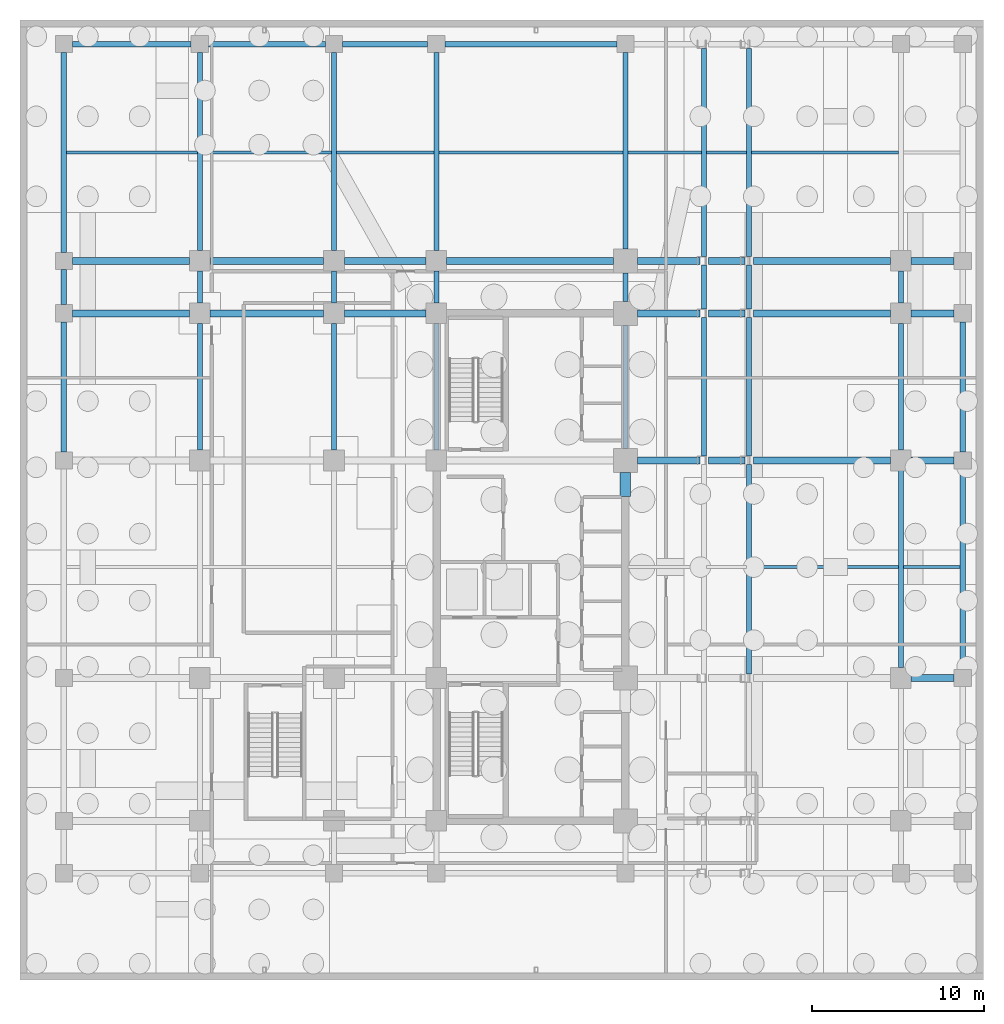
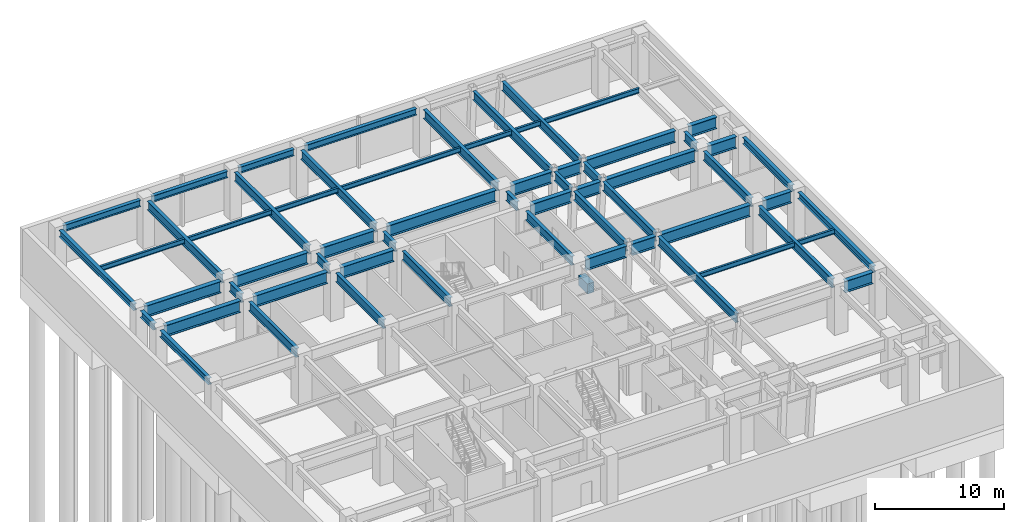
# One storey, part 8 of 13: 61 beams.
"""IFC4 building model written with IfcOpenShell, lengths in metres."""

from ifc_helpers import new_model, si_unit, direction, frame, origin, origin_2d, place, context, subcontext, project, spatial, rectangle, i_section, extrude, material, material_profile, profile_set, type_object, element, save


model = new_model("IFC4")

# Units and contexts
model_context = context("Model", 3, precision=1e-05, world=origin(), true_north=direction((0.0, 1.0)))
body_context = subcontext(model_context, "Body", "Model", "MODEL_VIEW")
ifc_project = project(units=[si_unit("LENGTHUNIT", "METRE"), si_unit("AREAUNIT", "SQUARE_METRE"), si_unit("VOLUMEUNIT", "CUBIC_METRE"), si_unit("PLANEANGLEUNIT", "RADIAN"), si_unit("MASSUNIT", "GRAM", prefix="KILO")], contexts=[model_context])

# Site, building, storey
site_placement = place(None, origin())
site = spatial("IfcSite", under=ifc_project, at=site_placement, CompositionType="ELEMENT")
building_placement = place(site_placement, origin())
building = spatial("IfcBuilding", under=site, at=building_placement, Name="Ochreholt Gables", CompositionType="ELEMENT")
storey_placement = place(building_placement, frame((0.0, 0.0, -9.60009765625)))
storey = spatial("IfcBuildingStorey", under=building, at=storey_placement, Name="B2", CompositionType="ELEMENT", Elevation=-9.60009765625)

# Beams
ifc_material_1 = material(Name="Concrete 60 MPa", Category="concrete")
ifc_material_profile_1 = material_profile(ifc_material_1, rectangle(XDim=0.60009765625, YDim=0.949951171875, at=origin_2d()), Name="RCB600X950")
ifc_profile_set_1 = profile_set([ifc_material_profile_1], Name="Concrete 60 MPa")
beam_type_1 = type_object("IfcBeamType", Name="BM-CPL-RC600", PredefinedType="LINTEL", material=ifc_profile_set_1)
beam_1_placement = place(storey_placement, frame((35.175048828125, 28.10009765625, 3.154052734375), z_axis=(0.0, 1.0, 0.0), x_axis=(-1.0, 0.0, 0.0)))
element("IfcBeam", 1, at=beam_1_placement, inside=storey, type_object=beam_type_1, Name="B2 Core Coupling Lintel CPN", PredefinedType="LINTEL", context=body_context, shape_type="SweptSolid", body=[
    extrude(rectangle(XDim=0.60009765625, YDim=0.949951171875, at=origin_2d()), origin(), (0.0, 0.0, 1.0), 1.39990234375),
])
ifc_material_2 = material(Name="Steel CSA G40.21 350W", Category="steel")
ifc_material_profile_2 = material_profile(ifc_material_2, i_section(OverallWidth=0.39990234375, OverallDepth=1.10009765625, WebThickness=0.02001953125, FlangeThickness=0.035888671875, at=origin_2d()), Name="W1100X390")
ifc_profile_set_2 = profile_set([ifc_material_profile_2], Name="Steel CSA G40.21 350W")
beam_type_2 = type_object("IfcBeamType", Name="BM-G-W1100", PredefinedType="BEAM", material=ifc_profile_set_2)
beam_2_placement = place(storey_placement, frame((51.799560546875, 17.550048828125, 3.93017578125), z_axis=(1.0, 0.0, 0.0), x_axis=(0.0, 1.0, 0.0)))
element("IfcBeam", 2, at=beam_2_placement, inside=storey, type_object=beam_type_2, Name="B2 Beam BG-B2-E3E4-Y3", PredefinedType="BEAM", context=body_context, shape_type="SweptSolid", body=[
    extrude(i_section(OverallWidth=0.39990234375, OverallDepth=1.10009765625, WebThickness=0.02001953125, FlangeThickness=0.035888671875, at=origin_2d()), origin(), (0.0, 0.0, 1.0), 2.500732421875),
])
beam_3_placement = place(storey_placement, frame((35.899658203125, 30.199951171875, 3.93017578125), z_axis=(1.0, 0.0, 0.0), x_axis=(0.0, 1.0, 0.0)))
element("IfcBeam", 3, at=beam_3_placement, inside=storey, type_object=beam_type_2, Name="B2 Beam BG-B2-C2EM-Y4", PredefinedType="BEAM", context=body_context, shape_type="SweptSolid", body=[
    extrude(i_section(OverallWidth=0.39990234375, OverallDepth=1.10009765625, WebThickness=0.02001953125, FlangeThickness=0.035888671875, at=origin_2d()), origin(), (0.0, 0.0, 1.0), 3.61865234375),
])
beam_4_placement = place(storey_placement, frame((40.017578125, 30.199951171875, 3.93017578125), z_axis=(1.0, 0.0, 0.0), x_axis=(0.0, 1.0, 0.0)))
element("IfcBeam", 4, at=beam_4_placement, inside=storey, type_object=beam_type_2, Name="B2 Beam BG-B2-EMEE-Y4", PredefinedType="BEAM", context=body_context, shape_type="SweptSolid", body=[
    extrude(i_section(OverallWidth=0.39990234375, OverallDepth=1.10009765625, WebThickness=0.02001953125, FlangeThickness=0.035888671875, at=origin_2d()), origin(), (0.0, 0.0, 1.0), 2.111328125),
])
beam_5_placement = place(storey_placement, frame((42.6279296875, 30.199951171875, 3.93017578125), z_axis=(1.0, 0.0, 0.0), x_axis=(0.0, 1.0, 0.0)))
element("IfcBeam", 5, at=beam_5_placement, inside=storey, type_object=beam_type_2, Name="B2 Beam BG-B2-EEE3-Y4", PredefinedType="BEAM", context=body_context, shape_type="SweptSolid", body=[
    extrude(i_section(OverallWidth=0.39990234375, OverallDepth=1.10009765625, WebThickness=0.02001953125, FlangeThickness=0.035888671875, at=origin_2d()), origin(), (0.0, 0.0, 1.0), 7.972412109375),
])
beam_6_placement = place(storey_placement, frame((51.799560546875, 30.199951171875, 3.93017578125), z_axis=(1.0, 0.0, 0.0), x_axis=(0.0, 1.0, 0.0)))
element("IfcBeam", 6, at=beam_6_placement, inside=storey, type_object=beam_type_2, Name="B2 Beam BG-B2-E3E4-Y4", PredefinedType="BEAM", context=body_context, shape_type="SweptSolid", body=[
    extrude(i_section(OverallWidth=0.39990234375, OverallDepth=1.10009765625, WebThickness=0.02001953125, FlangeThickness=0.035888671875, at=origin_2d()), origin(), (0.0, 0.0, 1.0), 2.500732421875),
])
beam_7_placement = place(storey_placement, frame((3.049560546875, 38.75, 3.93017578125), z_axis=(1.0, 0.0, 0.0), x_axis=(0.0, 1.0, 0.0)))
element("IfcBeam", 7, at=beam_7_placement, inside=storey, type_object=beam_type_2, Name="B2 Beam BG-B2-W1W2-Y5", PredefinedType="BEAM", context=body_context, shape_type="SweptSolid", body=[
    extrude(i_section(OverallWidth=0.39990234375, OverallDepth=1.10009765625, WebThickness=0.02001953125, FlangeThickness=0.035888671875, at=origin_2d()), origin(), (0.0, 0.0, 1.0), 6.80078125),
])
beam_8_placement = place(storey_placement, frame((11.049560546875, 38.75, 3.93017578125), z_axis=(1.0, 0.0, 0.0), x_axis=(0.0, 1.0, 0.0)))
element("IfcBeam", 8, at=beam_8_placement, inside=storey, type_object=beam_type_2, Name="B2 Beam BG-B2-W2W3-Y5", PredefinedType="BEAM", context=body_context, shape_type="SweptSolid", body=[
    extrude(i_section(OverallWidth=0.39990234375, OverallDepth=1.10009765625, WebThickness=0.02001953125, FlangeThickness=0.035888671875, at=origin_2d()), origin(), (0.0, 0.0, 1.0), 6.600830078125),
])
beam_9_placement = place(storey_placement, frame((18.849609375, 38.75, 3.93017578125), z_axis=(1.0, 0.0, 0.0), x_axis=(0.0, 1.0, 0.0)))
element("IfcBeam", 9, at=beam_9_placement, inside=storey, type_object=beam_type_2, Name="B2 Beam BG-B2-W3C1-Y5", PredefinedType="BEAM", context=body_context, shape_type="SweptSolid", body=[
    extrude(i_section(OverallWidth=0.39990234375, OverallDepth=1.10009765625, WebThickness=0.02001953125, FlangeThickness=0.035888671875, at=origin_2d()), origin(), (0.0, 0.0, 1.0), 4.750732421875),
])
beam_10_placement = place(storey_placement, frame((35.899658203125, 38.75, 3.93017578125), z_axis=(1.0, 0.0, 0.0), x_axis=(0.0, 1.0, 0.0)))
element("IfcBeam", 10, at=beam_10_placement, inside=storey, type_object=beam_type_2, Name="B2 Beam BG-B2-C2EM-Y5", PredefinedType="BEAM", context=body_context, shape_type="SweptSolid", body=[
    extrude(i_section(OverallWidth=0.39990234375, OverallDepth=1.10009765625, WebThickness=0.02001953125, FlangeThickness=0.035888671875, at=origin_2d()), origin(), (0.0, 0.0, 1.0), 3.61865234375),
])
beam_11_placement = place(storey_placement, frame((40.017578125, 38.75, 3.93017578125), z_axis=(1.0, 0.0, 0.0), x_axis=(0.0, 1.0, 0.0)))
element("IfcBeam", 11, at=beam_11_placement, inside=storey, type_object=beam_type_2, Name="B2 Beam BG-B2-EMEE-Y5", PredefinedType="BEAM", context=body_context, shape_type="SweptSolid", body=[
    extrude(i_section(OverallWidth=0.39990234375, OverallDepth=1.10009765625, WebThickness=0.02001953125, FlangeThickness=0.035888671875, at=origin_2d()), origin(), (0.0, 0.0, 1.0), 2.111328125),
])
beam_12_placement = place(storey_placement, frame((42.6279296875, 38.75, 3.93017578125), z_axis=(1.0, 0.0, 0.0), x_axis=(0.0, 1.0, 0.0)))
element("IfcBeam", 12, at=beam_12_placement, inside=storey, type_object=beam_type_2, Name="B2 Beam BG-B2-EEE3-Y5", PredefinedType="BEAM", context=body_context, shape_type="SweptSolid", body=[
    extrude(i_section(OverallWidth=0.39990234375, OverallDepth=1.10009765625, WebThickness=0.02001953125, FlangeThickness=0.035888671875, at=origin_2d()), origin(), (0.0, 0.0, 1.0), 7.972412109375),
])
beam_13_placement = place(storey_placement, frame((51.799560546875, 38.75, 3.93017578125), z_axis=(1.0, 0.0, 0.0), x_axis=(0.0, 1.0, 0.0)))
element("IfcBeam", 13, at=beam_13_placement, inside=storey, type_object=beam_type_2, Name="B2 Beam BG-B2-E3E4-Y5", PredefinedType="BEAM", context=body_context, shape_type="SweptSolid", body=[
    extrude(i_section(OverallWidth=0.39990234375, OverallDepth=1.10009765625, WebThickness=0.02001953125, FlangeThickness=0.035888671875, at=origin_2d()), origin(), (0.0, 0.0, 1.0), 2.500732421875),
])
beam_14_placement = place(storey_placement, frame((3.049560546875, 41.800048828125, 3.93017578125), z_axis=(1.0, 0.0, 0.0), x_axis=(0.0, 1.0, 0.0)))
element("IfcBeam", 14, at=beam_14_placement, inside=storey, type_object=beam_type_2, Name="B2 Beam BG-B2-W1W2-Y6", PredefinedType="BEAM", context=body_context, shape_type="SweptSolid", body=[
    extrude(i_section(OverallWidth=0.39990234375, OverallDepth=1.10009765625, WebThickness=0.02001953125, FlangeThickness=0.035888671875, at=origin_2d()), origin(), (0.0, 0.0, 1.0), 6.80078125),
])
beam_15_placement = place(storey_placement, frame((11.049560546875, 41.800048828125, 3.93017578125), z_axis=(1.0, 0.0, 0.0), x_axis=(0.0, 1.0, 0.0)))
element("IfcBeam", 15, at=beam_15_placement, inside=storey, type_object=beam_type_2, Name="B2 Beam BG-B2-W2W3-Y6", PredefinedType="BEAM", context=body_context, shape_type="SweptSolid", body=[
    extrude(i_section(OverallWidth=0.39990234375, OverallDepth=1.10009765625, WebThickness=0.02001953125, FlangeThickness=0.035888671875, at=origin_2d()), origin(), (0.0, 0.0, 1.0), 6.600830078125),
])
beam_16_placement = place(storey_placement, frame((18.849609375, 41.800048828125, 3.93017578125), z_axis=(1.0, 0.0, 0.0), x_axis=(0.0, 1.0, 0.0)))
element("IfcBeam", 16, at=beam_16_placement, inside=storey, type_object=beam_type_2, Name="B2 Beam BG-B2-W3C1-Y6", PredefinedType="BEAM", context=body_context, shape_type="SweptSolid", body=[
    extrude(i_section(OverallWidth=0.39990234375, OverallDepth=1.10009765625, WebThickness=0.02001953125, FlangeThickness=0.035888671875, at=origin_2d()), origin(), (0.0, 0.0, 1.0), 4.750732421875),
])
beam_17_placement = place(storey_placement, frame((24.799560546875, 41.800048828125, 3.93017578125), z_axis=(1.0, 0.0, 0.0), x_axis=(0.0, 1.0, 0.0)))
element("IfcBeam", 17, at=beam_17_placement, inside=storey, type_object=beam_type_2, Name="B2 Beam BG-B2-C1C2-Y6", PredefinedType="BEAM", context=body_context, shape_type="SweptSolid", body=[
    extrude(i_section(OverallWidth=0.39990234375, OverallDepth=1.10009765625, WebThickness=0.02001953125, FlangeThickness=0.035888671875, at=origin_2d()), origin(), (0.0, 0.0, 1.0), 9.700927734375),
])
beam_18_placement = place(storey_placement, frame((35.899658203125, 41.800048828125, 3.93017578125), z_axis=(1.0, 0.0, 0.0), x_axis=(0.0, 1.0, 0.0)))
element("IfcBeam", 18, at=beam_18_placement, inside=storey, type_object=beam_type_2, Name="B2 Beam BG-B2-C2EM-Y6", PredefinedType="BEAM", context=body_context, shape_type="SweptSolid", body=[
    extrude(i_section(OverallWidth=0.39990234375, OverallDepth=1.10009765625, WebThickness=0.02001953125, FlangeThickness=0.035888671875, at=origin_2d()), origin(), (0.0, 0.0, 1.0), 3.61865234375),
])
beam_19_placement = place(storey_placement, frame((40.017578125, 41.800048828125, 3.93017578125), z_axis=(1.0, 0.0, 0.0), x_axis=(0.0, 1.0, 0.0)))
element("IfcBeam", 19, at=beam_19_placement, inside=storey, type_object=beam_type_2, Name="B2 Beam BG-B2-EMEE-Y6", PredefinedType="BEAM", context=body_context, shape_type="SweptSolid", body=[
    extrude(i_section(OverallWidth=0.39990234375, OverallDepth=1.10009765625, WebThickness=0.02001953125, FlangeThickness=0.035888671875, at=origin_2d()), origin(), (0.0, 0.0, 1.0), 2.111328125),
])
beam_20_placement = place(storey_placement, frame((42.6279296875, 41.800048828125, 3.93017578125), z_axis=(1.0, 0.0, 0.0), x_axis=(0.0, 1.0, 0.0)))
element("IfcBeam", 20, at=beam_20_placement, inside=storey, type_object=beam_type_2, Name="B2 Beam BG-B2-EEE3-Y6", PredefinedType="BEAM", context=body_context, shape_type="SweptSolid", body=[
    extrude(i_section(OverallWidth=0.39990234375, OverallDepth=1.10009765625, WebThickness=0.02001953125, FlangeThickness=0.035888671875, at=origin_2d()), origin(), (0.0, 0.0, 1.0), 7.972412109375),
])
beam_21_placement = place(storey_placement, frame((51.799560546875, 41.800048828125, 3.93017578125), z_axis=(1.0, 0.0, 0.0), x_axis=(0.0, 1.0, 0.0)))
element("IfcBeam", 21, at=beam_21_placement, inside=storey, type_object=beam_type_2, Name="B2 Beam BG-B2-E3E4-Y6", PredefinedType="BEAM", context=body_context, shape_type="SweptSolid", body=[
    extrude(i_section(OverallWidth=0.39990234375, OverallDepth=1.10009765625, WebThickness=0.02001953125, FlangeThickness=0.035888671875, at=origin_2d()), origin(), (0.0, 0.0, 1.0), 2.500732421875),
])
ifc_material_profile_3 = material_profile(ifc_material_2, i_section(OverallWidth=0.2939453125, OverallDepth=0.85107421875, WebThickness=0.01611328125, FlangeThickness=0.02685546875, at=origin_2d()), Name="W840X226")
ifc_profile_set_3 = profile_set([ifc_material_profile_3], Name="Steel CSA G40.21 350W")
beam_type_3 = type_object("IfcBeamType", Name="BM-G-W840", PredefinedType="BEAM", material=ifc_profile_set_3)
beam_22_placement = place(storey_placement, frame((10.449951171875, 30.799560546875, 4.0546875), z_axis=(0.0, 1.0, 0.0), x_axis=(-1.0, 0.0, 0.0)))
element("IfcBeam", 22, at=beam_22_placement, inside=storey, type_object=beam_type_3, Name="B2 Beam BG-B2-W2-Y4Y5", PredefinedType="BEAM", context=body_context, shape_type="SweptSolid", body=[
    extrude(i_section(OverallWidth=0.2939453125, OverallDepth=0.85107421875, WebThickness=0.01611328125, FlangeThickness=0.02685546875, at=origin_2d()), origin(), (0.0, 0.0, 1.0), 7.350830078125),
])
beam_23_placement = place(storey_placement, frame((10.449951171875, 39.349609375, 4.0546875), z_axis=(0.0, 1.0, 0.0), x_axis=(-1.0, 0.0, 0.0)))
element("IfcBeam", 23, at=beam_23_placement, inside=storey, type_object=beam_type_3, Name="B2 Beam BG-B2-W2-Y5Y6", PredefinedType="BEAM", context=body_context, shape_type="SweptSolid", body=[
    extrude(i_section(OverallWidth=0.2939453125, OverallDepth=0.85107421875, WebThickness=0.01611328125, FlangeThickness=0.02685546875, at=origin_2d()), origin(), (0.0, 0.0, 1.0), 1.850830078125),
])
beam_24_placement = place(storey_placement, frame((10.449951171875, 42.399658203125, 4.0546875), z_axis=(0.0, 1.0, 0.0), x_axis=(-1.0, 0.0, 0.0)))
element("IfcBeam", 24, at=beam_24_placement, inside=storey, type_object=beam_type_3, Name="B2 Beam BG-B2-W2-Y6Y7", PredefinedType="BEAM", context=body_context, shape_type="SweptSolid", body=[
    extrude(i_section(OverallWidth=0.2939453125, OverallDepth=0.85107421875, WebThickness=0.01611328125, FlangeThickness=0.02685546875, at=origin_2d()), origin(), (0.0, 0.0, 1.0), 11.500732421875),
])
beam_25_placement = place(storey_placement, frame((18.25, 30.799560546875, 4.0546875), z_axis=(0.0, 1.0, 0.0), x_axis=(-1.0, 0.0, 0.0)))
element("IfcBeam", 25, at=beam_25_placement, inside=storey, type_object=beam_type_3, Name="B2 Beam BG-B2-W3-Y4Y5", PredefinedType="BEAM", context=body_context, shape_type="SweptSolid", body=[
    extrude(i_section(OverallWidth=0.2939453125, OverallDepth=0.85107421875, WebThickness=0.01611328125, FlangeThickness=0.02685546875, at=origin_2d()), origin(), (0.0, 0.0, 1.0), 7.350830078125),
])
beam_26_placement = place(storey_placement, frame((18.25, 39.349609375, 4.0546875), z_axis=(0.0, 1.0, 0.0), x_axis=(-1.0, 0.0, 0.0)))
element("IfcBeam", 26, at=beam_26_placement, inside=storey, type_object=beam_type_3, Name="B2 Beam BG-B2-W3-Y5Y6", PredefinedType="BEAM", context=body_context, shape_type="SweptSolid", body=[
    extrude(i_section(OverallWidth=0.2939453125, OverallDepth=0.85107421875, WebThickness=0.01611328125, FlangeThickness=0.02685546875, at=origin_2d()), origin(), (0.0, 0.0, 1.0), 1.850830078125),
])
beam_27_placement = place(storey_placement, frame((18.25, 42.399658203125, 4.0546875), z_axis=(0.0, 1.0, 0.0), x_axis=(-1.0, 0.0, 0.0)))
element("IfcBeam", 27, at=beam_27_placement, inside=storey, type_object=beam_type_3, Name="B2 Beam BG-B2-W3-Y6Y7", PredefinedType="BEAM", context=body_context, shape_type="SweptSolid", body=[
    extrude(i_section(OverallWidth=0.2939453125, OverallDepth=0.85107421875, WebThickness=0.01611328125, FlangeThickness=0.02685546875, at=origin_2d()), origin(), (0.0, 0.0, 1.0), 11.500732421875),
])
beam_28_placement = place(storey_placement, frame((24.199951171875, 30.799560546875, 4.0546875), z_axis=(0.0, 1.0, 0.0), x_axis=(-1.0, 0.0, 0.0)))
element("IfcBeam", 28, at=beam_28_placement, inside=storey, type_object=beam_type_3, Name="B2 Beam BG-B2-C1-Y4Y5", PredefinedType="BEAM", context=body_context, shape_type="SweptSolid", body=[
    extrude(i_section(OverallWidth=0.2939453125, OverallDepth=0.85107421875, WebThickness=0.01611328125, FlangeThickness=0.02685546875, at=origin_2d()), origin(), (0.0, 0.0, 1.0), 7.350830078125),
])
beam_29_placement = place(storey_placement, frame((24.199951171875, 39.349609375, 4.0546875), z_axis=(0.0, 1.0, 0.0), x_axis=(-1.0, 0.0, 0.0)))
element("IfcBeam", 29, at=beam_29_placement, inside=storey, type_object=beam_type_3, Name="B2 Beam BG-B2-C1-Y5Y6", PredefinedType="BEAM", context=body_context, shape_type="SweptSolid", body=[
    extrude(i_section(OverallWidth=0.2939453125, OverallDepth=0.85107421875, WebThickness=0.01611328125, FlangeThickness=0.02685546875, at=origin_2d()), origin(), (0.0, 0.0, 1.0), 1.850830078125),
])
beam_30_placement = place(storey_placement, frame((24.199951171875, 42.399658203125, 4.0546875), z_axis=(0.0, 1.0, 0.0), x_axis=(-1.0, 0.0, 0.0)))
element("IfcBeam", 30, at=beam_30_placement, inside=storey, type_object=beam_type_3, Name="B2 Beam BG-B2-C1-Y6Y7", PredefinedType="BEAM", context=body_context, shape_type="SweptSolid", body=[
    extrude(i_section(OverallWidth=0.2939453125, OverallDepth=0.85107421875, WebThickness=0.01611328125, FlangeThickness=0.02685546875, at=origin_2d()), origin(), (0.0, 0.0, 1.0), 11.500732421875),
])
beam_31_placement = place(storey_placement, frame((35.199951171875, 30.899658203125, 4.0546875), z_axis=(0.0, 1.0, 0.0), x_axis=(-1.0, 0.0, 0.0)))
element("IfcBeam", 31, at=beam_31_placement, inside=storey, type_object=beam_type_3, Name="B2 Beam BG-B2-C2-Y4Y5", PredefinedType="BEAM", context=body_context, shape_type="SweptSolid", body=[
    extrude(i_section(OverallWidth=0.2939453125, OverallDepth=0.85107421875, WebThickness=0.01611328125, FlangeThickness=0.02685546875, at=origin_2d()), origin(), (0.0, 0.0, 1.0), 7.150634765625),
])
beam_32_placement = place(storey_placement, frame((35.199951171875, 39.44970703125, 4.0546875), z_axis=(0.0, 1.0, 0.0), x_axis=(-1.0, 0.0, 0.0)))
element("IfcBeam", 32, at=beam_32_placement, inside=storey, type_object=beam_type_3, Name="B2 Beam BG-B2-C2-Y5Y6", PredefinedType="BEAM", context=body_context, shape_type="SweptSolid", body=[
    extrude(i_section(OverallWidth=0.2939453125, OverallDepth=0.85107421875, WebThickness=0.01611328125, FlangeThickness=0.02685546875, at=origin_2d()), origin(), (0.0, 0.0, 1.0), 1.650634765625),
])
beam_33_placement = place(storey_placement, frame((35.199951171875, 42.49951171875, 4.0546875), z_axis=(0.0, 1.0, 0.0), x_axis=(-1.0, 0.0, 0.0)))
element("IfcBeam", 33, at=beam_33_placement, inside=storey, type_object=beam_type_3, Name="B2 Beam BG-B2-C2-Y6Y7", PredefinedType="BEAM", context=body_context, shape_type="SweptSolid", body=[
    extrude(i_section(OverallWidth=0.2939453125, OverallDepth=0.85107421875, WebThickness=0.01611328125, FlangeThickness=0.02685546875, at=origin_2d()), origin(), (0.0, 0.0, 1.0), 11.40087890625),
])
beam_34_placement = place(storey_placement, frame((39.76806640625, 30.44970703125, 4.0546875), z_axis=(0.0, 1.0, 0.0), x_axis=(-1.0, 0.0, 0.0)))
element("IfcBeam", 34, at=beam_34_placement, inside=storey, type_object=beam_type_3, Name="B2 Beam BG-B2-EM-Y4Y5", PredefinedType="BEAM", context=body_context, shape_type="SweptSolid", body=[
    extrude(i_section(OverallWidth=0.2939453125, OverallDepth=0.85107421875, WebThickness=0.01611328125, FlangeThickness=0.02685546875, at=origin_2d()), origin(), (0.0, 0.0, 1.0), 8.05078125),
])
beam_35_placement = place(storey_placement, frame((39.76806640625, 38.99951171875, 4.0546875), z_axis=(0.0, 1.0, 0.0), x_axis=(-1.0, 0.0, 0.0)))
element("IfcBeam", 35, at=beam_35_placement, inside=storey, type_object=beam_type_3, Name="B2 Beam BG-B2-EM-Y5Y6", PredefinedType="BEAM", context=body_context, shape_type="SweptSolid", body=[
    extrude(i_section(OverallWidth=0.2939453125, OverallDepth=0.85107421875, WebThickness=0.01611328125, FlangeThickness=0.02685546875, at=origin_2d()), origin(), (0.0, 0.0, 1.0), 2.55078125),
])
beam_36_placement = place(storey_placement, frame((39.76806640625, 42.049560546875, 4.0546875), z_axis=(0.0, 1.0, 0.0), x_axis=(-1.0, 0.0, 0.0)))
element("IfcBeam", 36, at=beam_36_placement, inside=storey, type_object=beam_type_3, Name="B2 Beam BG-B2-EM-Y6Y7", PredefinedType="BEAM", context=body_context, shape_type="SweptSolid", body=[
    extrude(i_section(OverallWidth=0.2939453125, OverallDepth=0.85107421875, WebThickness=0.01611328125, FlangeThickness=0.02685546875, at=origin_2d()), origin(), (0.0, 0.0, 1.0), 12.100830078125),
])
beam_37_placement = place(storey_placement, frame((42.37841796875, 17.799560546875, 4.0546875), z_axis=(0.0, 1.0, 0.0), x_axis=(-1.0, 0.0, 0.0)))
element("IfcBeam", 37, at=beam_37_placement, inside=storey, type_object=beam_type_3, Name="B2 Beam BG-B2-EE-Y3Y4", PredefinedType="BEAM", context=body_context, shape_type="SweptSolid", body=[
    extrude(i_section(OverallWidth=0.2939453125, OverallDepth=0.85107421875, WebThickness=0.01611328125, FlangeThickness=0.02685546875, at=origin_2d()), origin(), (0.0, 0.0, 1.0), 12.15087890625),
])
beam_38_placement = place(storey_placement, frame((42.37841796875, 30.44970703125, 4.0546875), z_axis=(0.0, 1.0, 0.0), x_axis=(-1.0, 0.0, 0.0)))
element("IfcBeam", 38, at=beam_38_placement, inside=storey, type_object=beam_type_3, Name="B2 Beam BG-B2-EE-Y4Y5", PredefinedType="BEAM", context=body_context, shape_type="SweptSolid", body=[
    extrude(i_section(OverallWidth=0.2939453125, OverallDepth=0.85107421875, WebThickness=0.01611328125, FlangeThickness=0.02685546875, at=origin_2d()), origin(), (0.0, 0.0, 1.0), 8.05078125),
])
beam_39_placement = place(storey_placement, frame((42.37841796875, 38.99951171875, 4.0546875), z_axis=(0.0, 1.0, 0.0), x_axis=(-1.0, 0.0, 0.0)))
element("IfcBeam", 39, at=beam_39_placement, inside=storey, type_object=beam_type_3, Name="B2 Beam BG-B2-EE-Y5Y6", PredefinedType="BEAM", context=body_context, shape_type="SweptSolid", body=[
    extrude(i_section(OverallWidth=0.2939453125, OverallDepth=0.85107421875, WebThickness=0.01611328125, FlangeThickness=0.02685546875, at=origin_2d()), origin(), (0.0, 0.0, 1.0), 2.55078125),
])
beam_40_placement = place(storey_placement, frame((42.37841796875, 42.049560546875, 4.0546875), z_axis=(0.0, 1.0, 0.0), x_axis=(-1.0, 0.0, 0.0)))
element("IfcBeam", 40, at=beam_40_placement, inside=storey, type_object=beam_type_3, Name="B2 Beam BG-B2-EE-Y6Y7", PredefinedType="BEAM", context=body_context, shape_type="SweptSolid", body=[
    extrude(i_section(OverallWidth=0.2939453125, OverallDepth=0.85107421875, WebThickness=0.01611328125, FlangeThickness=0.02685546875, at=origin_2d()), origin(), (0.0, 0.0, 1.0), 12.100830078125),
])
beam_41_placement = place(storey_placement, frame((51.199951171875, 18.149658203125, 4.0546875), z_axis=(0.0, 1.0, 0.0), x_axis=(-1.0, 0.0, 0.0)))
element("IfcBeam", 41, at=beam_41_placement, inside=storey, type_object=beam_type_3, Name="B2 Beam BG-B2-E3-Y3Y4", PredefinedType="BEAM", context=body_context, shape_type="SweptSolid", body=[
    extrude(i_section(OverallWidth=0.2939453125, OverallDepth=0.85107421875, WebThickness=0.01611328125, FlangeThickness=0.02685546875, at=origin_2d()), origin(), (0.0, 0.0, 1.0), 11.45068359375),
])
beam_42_placement = place(storey_placement, frame((51.199951171875, 30.799560546875, 4.0546875), z_axis=(0.0, 1.0, 0.0), x_axis=(-1.0, 0.0, 0.0)))
element("IfcBeam", 42, at=beam_42_placement, inside=storey, type_object=beam_type_3, Name="B2 Beam BG-B2-E3-Y4Y5", PredefinedType="BEAM", context=body_context, shape_type="SweptSolid", body=[
    extrude(i_section(OverallWidth=0.2939453125, OverallDepth=0.85107421875, WebThickness=0.01611328125, FlangeThickness=0.02685546875, at=origin_2d()), origin(), (0.0, 0.0, 1.0), 7.350830078125),
])
beam_43_placement = place(storey_placement, frame((51.199951171875, 39.349609375, 4.0546875), z_axis=(0.0, 1.0, 0.0), x_axis=(-1.0, 0.0, 0.0)))
element("IfcBeam", 43, at=beam_43_placement, inside=storey, type_object=beam_type_3, Name="B2 Beam BG-B2-E3-Y5Y6", PredefinedType="BEAM", context=body_context, shape_type="SweptSolid", body=[
    extrude(i_section(OverallWidth=0.2939453125, OverallDepth=0.85107421875, WebThickness=0.01611328125, FlangeThickness=0.02685546875, at=origin_2d()), origin(), (0.0, 0.0, 1.0), 1.850830078125),
])
ifc_material_profile_4 = material_profile(ifc_material_2, i_section(OverallWidth=0.18994140625, OverallDepth=0.45703125, WebThickness=0.009033203125, FlangeThickness=0.014404296875, at=origin_2d()), Name="W460X74")
ifc_profile_set_4 = profile_set([ifc_material_profile_4], Name="Steel CSA G40.21 350W")
beam_type_4 = type_object("IfcBeamType", Name="BM-J-W460B", PredefinedType="JOIST", material=ifc_profile_set_4)
beam_44_placement = place(storey_placement, frame((42.52490234375, 24.0, 4.251708984375), z_axis=(1.0, 0.0, 0.0), x_axis=(0.0, 1.0, 0.0)))
element("IfcBeam", 44, at=beam_44_placement, inside=storey, type_object=beam_type_4, Name="B2 Beam BJ-B2-J1-EEE3", PredefinedType="JOIST", context=body_context, shape_type="SweptSolid", body=[
    extrude(i_section(OverallWidth=0.18994140625, OverallDepth=0.45703125, WebThickness=0.009033203125, FlangeThickness=0.014404296875, at=origin_2d()), origin(), (0.0, 0.0, 1.0), 8.528564453125),
])
beam_45_placement = place(storey_placement, frame((51.3466796875, 24.0, 4.251708984375), z_axis=(1.0, 0.0, 0.0), x_axis=(0.0, 1.0, 0.0)))
element("IfcBeam", 45, at=beam_45_placement, inside=storey, type_object=beam_type_4, Name="B2 Beam BJ-B2-J1-E3E4", PredefinedType="JOIST", context=body_context, shape_type="SweptSolid", body=[
    extrude(i_section(OverallWidth=0.18994140625, OverallDepth=0.45703125, WebThickness=0.009033203125, FlangeThickness=0.014404296875, at=origin_2d()), origin(), (0.0, 0.0, 1.0), 3.291748046875),
])
beam_46_placement = place(storey_placement, frame((2.711669921875, 48.10009765625, 4.251708984375), z_axis=(1.0, 0.0, 0.0), x_axis=(0.0, 1.0, 0.0)))
element("IfcBeam", 46, at=beam_46_placement, inside=storey, type_object=beam_type_4, Name="B2 Beam BJ-B2-J2-W1W2", PredefinedType="JOIST", context=body_context, shape_type="SweptSolid", body=[
    extrude(i_section(OverallWidth=0.18994140625, OverallDepth=0.45703125, WebThickness=0.009033203125, FlangeThickness=0.014404296875, at=origin_2d()), origin(), (0.0, 0.0, 1.0), 7.591796875),
])
beam_47_placement = place(storey_placement, frame((10.5966796875, 48.10009765625, 4.251708984375), z_axis=(1.0, 0.0, 0.0), x_axis=(0.0, 1.0, 0.0)))
element("IfcBeam", 47, at=beam_47_placement, inside=storey, type_object=beam_type_4, Name="B2 Beam BJ-B2-J2-W2W3", PredefinedType="JOIST", context=body_context, shape_type="SweptSolid", body=[
    extrude(i_section(OverallWidth=0.18994140625, OverallDepth=0.45703125, WebThickness=0.009033203125, FlangeThickness=0.014404296875, at=origin_2d()), origin(), (0.0, 0.0, 1.0), 7.5068359375),
])
beam_48_placement = place(storey_placement, frame((18.396484375, 48.10009765625, 4.251708984375), z_axis=(1.0, 0.0, 0.0), x_axis=(0.0, 1.0, 0.0)))
element("IfcBeam", 48, at=beam_48_placement, inside=storey, type_object=beam_type_4, Name="B2 Beam BJ-B2-J2-W3C1", PredefinedType="JOIST", context=body_context, shape_type="SweptSolid", body=[
    extrude(i_section(OverallWidth=0.18994140625, OverallDepth=0.45703125, WebThickness=0.009033203125, FlangeThickness=0.014404296875, at=origin_2d()), origin(), (0.0, 0.0, 1.0), 5.656982421875),
])
beam_49_placement = place(storey_placement, frame((24.3466796875, 48.10009765625, 4.251708984375), z_axis=(1.0, 0.0, 0.0), x_axis=(0.0, 1.0, 0.0)))
element("IfcBeam", 49, at=beam_49_placement, inside=storey, type_object=beam_type_4, Name="B2 Beam BJ-B2-J2-C1C2", PredefinedType="JOIST", context=body_context, shape_type="SweptSolid", body=[
    extrude(i_section(OverallWidth=0.18994140625, OverallDepth=0.45703125, WebThickness=0.009033203125, FlangeThickness=0.014404296875, at=origin_2d()), origin(), (0.0, 0.0, 1.0), 10.706787109375),
])
beam_50_placement = place(storey_placement, frame((35.3466796875, 48.10009765625, 4.251708984375), z_axis=(1.0, 0.0, 0.0), x_axis=(0.0, 1.0, 0.0)))
element("IfcBeam", 50, at=beam_50_placement, inside=storey, type_object=beam_type_4, Name="B2 Beam BJ-B2-J2-C2EM", PredefinedType="JOIST", context=body_context, shape_type="SweptSolid", body=[
    extrude(i_section(OverallWidth=0.18994140625, OverallDepth=0.45703125, WebThickness=0.009033203125, FlangeThickness=0.014404296875, at=origin_2d()), origin(), (0.0, 0.0, 1.0), 4.274658203125),
])
beam_51_placement = place(storey_placement, frame((39.91455078125, 48.10009765625, 4.251708984375), z_axis=(1.0, 0.0, 0.0), x_axis=(0.0, 1.0, 0.0)))
element("IfcBeam", 51, at=beam_51_placement, inside=storey, type_object=beam_type_4, Name="B2 Beam BJ-B2-J2-EMEE", PredefinedType="JOIST", context=body_context, shape_type="SweptSolid", body=[
    extrude(i_section(OverallWidth=0.18994140625, OverallDepth=0.45703125, WebThickness=0.009033203125, FlangeThickness=0.014404296875, at=origin_2d()), origin(), (0.0, 0.0, 1.0), 2.317138671875),
])
beam_52_placement = place(storey_placement, frame((42.52490234375, 48.10009765625, 4.251708984375), z_axis=(1.0, 0.0, 0.0), x_axis=(0.0, 1.0, 0.0)))
element("IfcBeam", 52, at=beam_52_placement, inside=storey, type_object=beam_type_4, Name="B2 Beam BJ-B2-J2-EEE3", PredefinedType="JOIST", context=body_context, shape_type="SweptSolid", body=[
    extrude(i_section(OverallWidth=0.18994140625, OverallDepth=0.45703125, WebThickness=0.009033203125, FlangeThickness=0.014404296875, at=origin_2d()), origin(), (0.0, 0.0, 1.0), 8.528564453125),
])
ifc_material_profile_5 = material_profile(ifc_material_2, i_section(OverallWidth=0.323974609375, OverallDepth=0.611083984375, WebThickness=0.0126953125, FlangeThickness=0.01904296875, at=origin_2d()), Name="W610X155")
ifc_profile_set_5 = profile_set([ifc_material_profile_5], Name="Steel CSA G40.21 350W")
beam_type_5 = type_object("IfcBeamType", Name="BM-SP-W610", PredefinedType="SPANDREL", material=ifc_profile_set_5)
beam_53_placement = place(storey_placement, frame((3.049560546875, 54.39990234375, 4.174560546875), z_axis=(1.0, 0.0, 0.0), x_axis=(0.0, 1.0, 0.0)))
element("IfcBeam", 53, at=beam_53_placement, inside=storey, type_object=beam_type_5, Name="B2 Beam BG-B2-W1W2-Y7", PredefinedType="SPANDREL", context=body_context, shape_type="SweptSolid", body=[
    extrude(i_section(OverallWidth=0.323974609375, OverallDepth=0.611083984375, WebThickness=0.0126953125, FlangeThickness=0.01904296875, at=origin_2d()), origin(), (0.0, 0.0, 1.0), 6.90087890625),
])
beam_54_placement = place(storey_placement, frame((10.94970703125, 54.39990234375, 4.174560546875), z_axis=(1.0, 0.0, 0.0), x_axis=(0.0, 1.0, 0.0)))
element("IfcBeam", 54, at=beam_54_placement, inside=storey, type_object=beam_type_5, Name="B2 Beam BG-B2-W2W3-Y7", PredefinedType="SPANDREL", context=body_context, shape_type="SweptSolid", body=[
    extrude(i_section(OverallWidth=0.323974609375, OverallDepth=0.611083984375, WebThickness=0.0126953125, FlangeThickness=0.01904296875, at=origin_2d()), origin(), (0.0, 0.0, 1.0), 6.80078125),
])
beam_55_placement = place(storey_placement, frame((18.74951171875, 54.39990234375, 4.174560546875), z_axis=(1.0, 0.0, 0.0), x_axis=(0.0, 1.0, 0.0)))
element("IfcBeam", 55, at=beam_55_placement, inside=storey, type_object=beam_type_5, Name="B2 Beam BG-B2-W3C1-Y7", PredefinedType="SPANDREL", context=body_context, shape_type="SweptSolid", body=[
    extrude(i_section(OverallWidth=0.323974609375, OverallDepth=0.611083984375, WebThickness=0.0126953125, FlangeThickness=0.01904296875, at=origin_2d()), origin(), (0.0, 0.0, 1.0), 4.950927734375),
])
beam_56_placement = place(storey_placement, frame((24.69970703125, 54.39990234375, 4.174560546875), z_axis=(1.0, 0.0, 0.0), x_axis=(0.0, 1.0, 0.0)))
element("IfcBeam", 56, at=beam_56_placement, inside=storey, type_object=beam_type_5, Name="B2 Beam BG-B2-C1C2-Y7", PredefinedType="SPANDREL", context=body_context, shape_type="SweptSolid", body=[
    extrude(i_section(OverallWidth=0.323974609375, OverallDepth=0.611083984375, WebThickness=0.0126953125, FlangeThickness=0.01904296875, at=origin_2d()), origin(), (0.0, 0.0, 1.0), 10.000732421875),
])
beam_57_placement = place(storey_placement, frame((2.550048828125, 30.69970703125, 4.174560546875), z_axis=(0.0, 1.0, 0.0), x_axis=(-1.0, 0.0, 0.0)))
element("IfcBeam", 57, at=beam_57_placement, inside=storey, type_object=beam_type_5, Name="B2 Beam BG-B2-W1-Y4Y5", PredefinedType="SPANDREL", context=body_context, shape_type="SweptSolid", body=[
    extrude(i_section(OverallWidth=0.323974609375, OverallDepth=0.611083984375, WebThickness=0.0126953125, FlangeThickness=0.01904296875, at=origin_2d()), origin(), (0.0, 0.0, 1.0), 7.55078125),
])
beam_58_placement = place(storey_placement, frame((2.550048828125, 39.24951171875, 4.174560546875), z_axis=(0.0, 1.0, 0.0), x_axis=(-1.0, 0.0, 0.0)))
element("IfcBeam", 58, at=beam_58_placement, inside=storey, type_object=beam_type_5, Name="B2 Beam BG-B2-W1-Y5Y6", PredefinedType="SPANDREL", context=body_context, shape_type="SweptSolid", body=[
    extrude(i_section(OverallWidth=0.323974609375, OverallDepth=0.611083984375, WebThickness=0.0126953125, FlangeThickness=0.01904296875, at=origin_2d()), origin(), (0.0, 0.0, 1.0), 2.05078125),
])
beam_59_placement = place(storey_placement, frame((2.550048828125, 42.299560546875, 4.174560546875), z_axis=(0.0, 1.0, 0.0), x_axis=(-1.0, 0.0, 0.0)))
element("IfcBeam", 59, at=beam_59_placement, inside=storey, type_object=beam_type_5, Name="B2 Beam BG-B2-W1-Y6Y7", PredefinedType="SPANDREL", context=body_context, shape_type="SweptSolid", body=[
    extrude(i_section(OverallWidth=0.323974609375, OverallDepth=0.611083984375, WebThickness=0.0126953125, FlangeThickness=0.01904296875, at=origin_2d()), origin(), (0.0, 0.0, 1.0), 11.600830078125),
])
beam_60_placement = place(storey_placement, frame((54.800048828125, 18.049560546875, 4.174560546875), z_axis=(0.0, 1.0, 0.0), x_axis=(-1.0, 0.0, 0.0)))
element("IfcBeam", 60, at=beam_60_placement, inside=storey, type_object=beam_type_5, Name="B2 Beam BG-B2-E4-Y3Y4", PredefinedType="SPANDREL", context=body_context, shape_type="SweptSolid", body=[
    extrude(i_section(OverallWidth=0.323974609375, OverallDepth=0.611083984375, WebThickness=0.0126953125, FlangeThickness=0.01904296875, at=origin_2d()), origin(), (0.0, 0.0, 1.0), 11.65087890625),
])
beam_61_placement = place(storey_placement, frame((54.800048828125, 30.69970703125, 4.174560546875), z_axis=(0.0, 1.0, 0.0), x_axis=(-1.0, 0.0, 0.0)))
element("IfcBeam", 61, at=beam_61_placement, inside=storey, type_object=beam_type_5, Name="B2 Beam BG-B2-E4-Y4Y5", PredefinedType="SPANDREL", context=body_context, shape_type="SweptSolid", body=[
    extrude(i_section(OverallWidth=0.323974609375, OverallDepth=0.611083984375, WebThickness=0.0126953125, FlangeThickness=0.01904296875, at=origin_2d()), origin(), (0.0, 0.0, 1.0), 7.55078125),
])

save(model, "model.ifc")
